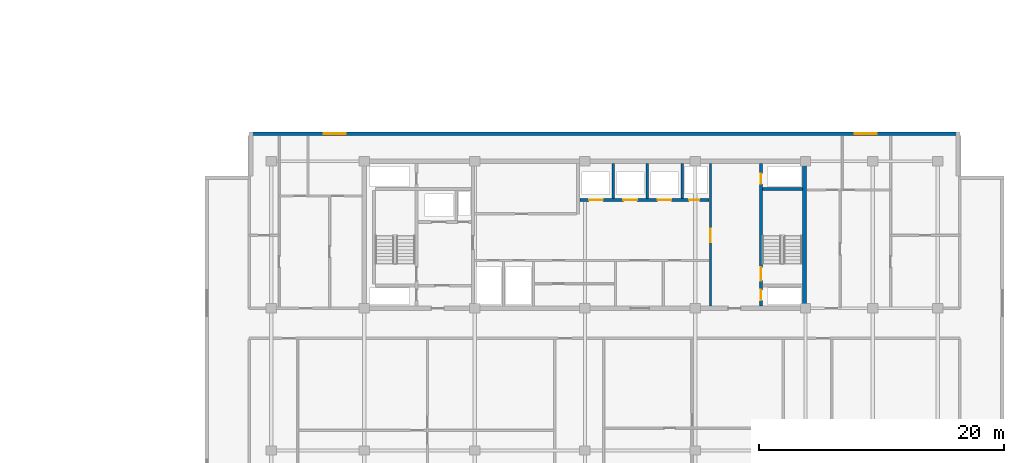
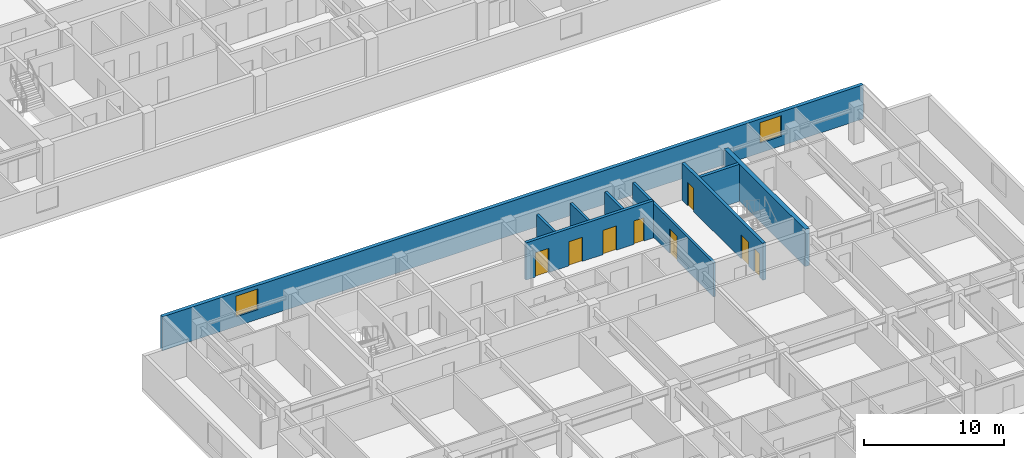
# One storey, part 8 of 22: 9 walls, 8 doors, 2 windows, 10 openings.
"""IFC4 building model written with IfcOpenShell, lengths in metres."""

from ifc_helpers import new_model, si_unit, direction, frame, frame_2d, origin, place, context, subcontext, project, spatial, rectangle, extrude, material, layer, layer_set, type_object, element, fill, save


model = new_model("IFC4")

# Units and contexts
model_context = context("Model", 3, precision=1e-05, world=origin(), true_north=direction((0.0, 1.0)))
body_context = subcontext(model_context, "Body", "Model", "MODEL_VIEW")
ifc_project = project(units=[si_unit("LENGTHUNIT", "METRE"), si_unit("AREAUNIT", "SQUARE_METRE"), si_unit("VOLUMEUNIT", "CUBIC_METRE"), si_unit("PLANEANGLEUNIT", "RADIAN"), si_unit("MASSUNIT", "GRAM", prefix="KILO")], contexts=[model_context])

# Site, building, storey
site_placement = place(None, origin())
site = spatial("IfcSite", under=ifc_project, at=site_placement, CompositionType="ELEMENT")
building_placement = place(site_placement, origin())
building = spatial("IfcBuilding", under=site, at=building_placement, Name="Korimba Cascade Residences", CompositionType="ELEMENT")
storey_placement = place(building_placement, frame((0.0, 0.0, 129.550048828125)))
storey = spatial("IfcBuildingStorey", under=building, at=storey_placement, Name="L37", CompositionType="ELEMENT", Elevation=129.550048828125)

# Wall, openings, windows
ifc_material_1 = material(Name="Precast concrete C40/50", Category="concrete")
ifc_layer_1 = layer(ifc_material_1, 0.300048828125)
ifc_layer_set_1 = layer_set([ifc_layer_1], Name="Precast concrete C40/50")
wall_type_1 = type_object("IfcWallType", Name="EW-STONE-300", PredefinedType="STANDARD", material=ifc_layer_set_1)
wall_1_placement = place(storey_placement, frame((130.699951171875, 32.64990234375, 0.0), z_axis=(0.0, 0.0, 1.0), x_axis=(-1.0, 0.0, 0.0)))
wall_1 = element("IfcWall", 1, at=wall_1_placement, inside=storey, type_object=wall_type_1, Name="L37 T2 Perimeter Stone Wall E06", PredefinedType="STANDARD", context=body_context, shape_type="SweptSolid", body=[
    extrude(rectangle(XDim=58.0, YDim=0.300048828125, at=frame_2d((29.0, 0.0))), origin(), (0.0, 0.0, 1.0), 2.969970703125),
])
opening_1_placement = place(wall_1_placement, frame((50.125, 0.0, 0.85009765625)))
opening_1 = element("IfcOpeningElement", 2, at=opening_1_placement, cuts=wall_1, Name="Opening W-02", PredefinedType="OPENING", context=body_context, shape_type="SweptSolid", body=[
    extrude(rectangle(XDim=1.800048828125, YDim=1.800048828125, at=frame_2d((0.89990234375, 0.89990234375))), frame((0.0, 0.16015625, 0.0), z_axis=(0.0, -1.0, 0.0), x_axis=(1.0, 0.0, 0.0)), (0.0, 0.0, 1.0), 0.320068359375),
])
opening_2_placement = place(wall_1_placement, frame((6.77490234375, 0.0, 0.85009765625)))
opening_2 = element("IfcOpeningElement", 3, at=opening_2_placement, cuts=wall_1, Name="Opening W-02", PredefinedType="OPENING", context=body_context, shape_type="SweptSolid", body=[
    extrude(rectangle(XDim=1.800048828125, YDim=1.800048828125, at=frame_2d((0.89990234375, 0.89990234375))), frame((0.0, 0.16015625, 0.0), z_axis=(0.0, -1.0, 0.0), x_axis=(1.0, 0.0, 0.0)), (0.0, 0.0, 1.0), 0.320068359375),
])
ifc_material_2 = material(Name="Double-Glazed Aluminium Window", Category="aluminium")
window_type = type_object("IfcWindowType", Name="WIN-BED-1800", PartitioningType="SINGLE_PANEL", PredefinedType="WINDOW", material=ifc_material_2)
window_1_placement = place(opening_1_placement, origin())
window_1 = element("IfcWindow", 4, at=window_1_placement, inside=storey, type_object=window_type, Name="L37 T2 North Corner Bedroom Window 1", OverallHeight=1.800048828125, OverallWidth=1.800048828125, PartitioningType="SINGLE_PANEL", PredefinedType="WINDOW", context=body_context, shape_type="SweptSolid", body=[
    extrude(rectangle(XDim=1.800048828125, YDim=1.800048828125, at=frame_2d((0.89990234375, 0.89990234375))), frame((0.0, 0.030029296875, 0.0), z_axis=(0.0, -1.0, 0.0), x_axis=(1.0, 0.0, 0.0)), (0.0, 0.0, 1.0), 0.06005859375),
])
fill(opening_1, window_1)
window_2_placement = place(opening_2_placement, origin())
window_2 = element("IfcWindow", 5, at=window_2_placement, inside=storey, type_object=window_type, Name="L37 T2 North Corner Bedroom Window 2", OverallHeight=1.800048828125, OverallWidth=1.800048828125, PartitioningType="SINGLE_PANEL", PredefinedType="WINDOW", context=body_context, shape_type="SweptSolid", body=[
    extrude(rectangle(XDim=1.800048828125, YDim=1.800048828125, at=frame_2d((0.89990234375, 0.89990234375))), frame((0.0, 0.030029296875, 0.0), z_axis=(0.0, -1.0, 0.0), x_axis=(1.0, 0.0, 0.0)), (0.0, 0.0, 1.0), 0.06005859375),
])
fill(opening_2, window_2)

# Walls
ifc_material_3 = material(Name="Concrete C65/80", Category="concrete")
ifc_layer_2 = layer(ifc_material_3, 0.35009765625)
ifc_layer_set_2 = layer_set([ifc_layer_2], Name="Concrete C65/80")
wall_type_2 = type_object("IfcWallType", Name="WAL-CORE-350", PredefinedType="SHEAR", material=ifc_layer_set_2)
wall_2_placement = place(storey_placement, frame((118.014892578125, 18.574951171875, 0.0), z_axis=(0.0, 0.0, 1.0), x_axis=(0.0, 1.0, 0.0)))
element("IfcWall", 6, at=wall_2_placement, inside=storey, type_object=wall_type_2, Name="L37 Core Shear Wall CW-L37-T2-E", PredefinedType="SHEAR", context=body_context, shape_type="SweptSolid", body=[
    extrude(rectangle(XDim=11.650146484375, YDim=0.35009765625, at=frame_2d((5.8251953125, 0.0))), origin(), (0.0, 0.0, 1.0), 3.25),
])
ifc_material_4 = material(Name="Concrete C40/50", Category="concrete")
ifc_layer_3 = layer(ifc_material_4, 0.199951171875)
ifc_layer_set_3 = layer_set([ifc_layer_3], Name="Concrete C40/50")
wall_type_3 = type_object("IfcWallType", Name="WAL-PART-200", PredefinedType="PARTITIONING", material=ifc_layer_set_3)
for number, where, z_axis, x_axis, name in (
    (7, (102.39990234375, 27.3798828125, 0.0), (0.0, 0.0, 1.0), (0.0, 1.0, 0.0), "L37 Partition Wall CW-L37-T2-B2D1"),
    (8, (105.199951171875, 27.3798828125, 0.0), (0.0, 0.0, 1.0), (0.0, 1.0, 0.0), "L37 Partition Wall CW-L37-T2-B2D2"),
    (9, (108.050048828125, 27.3798828125, 0.0), (0.0, 0.0, 1.0), (0.0, 1.0, 0.0), "L37 Partition Wall CW-L37-T2-B2D3"),
):
    element("IfcWall", number, at=place(storey_placement, frame(where, z_axis=z_axis, x_axis=x_axis)), inside=storey, type_object=wall_type_3, Name=name, PredefinedType="PARTITIONING", context=body_context, shape_type="SweptSolid", body=[
        extrude(rectangle(XDim=2.820068359375, YDim=0.199951171875, at=frame_2d((1.41015625, 0.0))), origin(), (0.0, 0.0, 1.0), 2.969970703125),
    ])

# Wall, opening, door
wall_3_placement = place(storey_placement, frame((110.35009765625, 18.60009765625, 0.0), z_axis=(0.0, 0.0, 1.0), x_axis=(0.0, 1.0, 0.0)))
wall_3 = element("IfcWall", 10, at=wall_3_placement, inside=storey, type_object=wall_type_3, Name="L37 Partition Wall CW-L37-T2-LLEV", PredefinedType="PARTITIONING", context=body_context, shape_type="SweptSolid", body=[
    extrude(rectangle(XDim=11.599853515625, YDim=0.199951171875, at=frame_2d((5.7998046875, 0.0))), origin(), (0.0, 0.0, 1.0), 2.969970703125),
])
opening_3_placement = place(wall_3_placement, frame((5.199951171875, 0.0, 0.0)))
opening_3 = element("IfcOpeningElement", 11, at=opening_3_placement, cuts=wall_3, Name="Opening D-FD6", PredefinedType="OPENING", context=body_context, shape_type="SweptSolid", body=[
    extrude(rectangle(XDim=1.10009765625, YDim=2.14990234375, at=frame_2d((0.550048828125, 1.074951171875))), frame((0.0, 0.10986328125, 0.0), z_axis=(0.0, -1.0, 0.0), x_axis=(1.0, 0.0, 0.0)), (0.0, 0.0, 1.0), 0.219970703125),
])
ifc_material_5 = material(Name="Fire-Rated Timber Stair Lobby Door", Category="wood")
door_type_1 = type_object("IfcDoorType", Name="DR-FD90-1100", OperationType="NOTDEFINED", PredefinedType="DOOR", material=ifc_material_5)
door_1_placement = place(opening_3_placement, origin())
door_1 = element("IfcDoor", 12, at=door_1_placement, inside=storey, type_object=door_type_1, Name="L37 T2 Lift Lobby to East Stair Lobby Door", OperationType="SINGLE_SWING_LEFT", OverallHeight=2.14990234375, OverallWidth=1.10009765625, PredefinedType="DOOR", context=body_context, shape_type="SweptSolid", body=[
    extrude(rectangle(XDim=1.10009765625, YDim=2.14990234375, at=frame_2d((0.550048828125, 1.074951171875))), frame((0.0, 0.02490234375, 0.0), z_axis=(0.0, -1.0, 0.0), x_axis=(1.0, 0.0, 0.0)), (0.0, 0.0, 1.0), 0.050048828125),
])
fill(opening_3, door_1)

# Wall, openings, doors
ifc_material_6 = material(Name="Concrete C50/60", Category="concrete")
ifc_layer_4 = layer(ifc_material_6, 0.25)
ifc_layer_set_4 = layer_set([ifc_layer_4], Name="Concrete C50/60")
wall_type_4 = type_object("IfcWallType", Name="WAL-SHAFT-250", PredefinedType="SHEAR", material=ifc_layer_set_4)
wall_4_placement = place(storey_placement, frame((99.679931640625, 27.25, 0.0), z_axis=(0.0, 0.0, 1.0), x_axis=(1.0, 0.0, 0.0)))
wall_4 = element("IfcWall", 13, at=wall_4_placement, inside=storey, type_object=wall_type_4, Name="L37 Core Shear Wall CW-L37-T2-B2S", PredefinedType="SHEAR", context=body_context, shape_type="SweptSolid", body=[
    extrude(rectangle(XDim=10.5400390625, YDim=0.25, at=frame_2d((5.27001953125, 0.0))), origin(), (0.0, 0.0, 1.0), 3.25),
])
opening_4_placement = place(wall_4_placement, frame((0.760009765625, 0.0, 0.0)))
opening_4 = element("IfcOpeningElement", 14, at=opening_4_placement, cuts=wall_4, Name="Opening LD-01", PredefinedType="OPENING", context=body_context, shape_type="SweptSolid", body=[
    extrude(rectangle(XDim=1.1201171875, YDim=2.1201171875, at=frame_2d((0.56005859375, 1.06005859375))), frame((0.0, 0.135009765625, 0.0), z_axis=(0.0, -1.0, 0.0), x_axis=(1.0, 0.0, 0.0)), (0.0, 0.0, 1.0), 0.27001953125),
])
opening_5_placement = place(wall_4_placement, frame((3.56005859375, 0.0, 0.0)))
opening_5 = element("IfcOpeningElement", 15, at=opening_5_placement, cuts=wall_4, Name="Opening LD-01", PredefinedType="OPENING", context=body_context, shape_type="SweptSolid", body=[
    extrude(rectangle(XDim=1.1201171875, YDim=2.1201171875, at=frame_2d((0.56005859375, 1.06005859375))), frame((0.0, 0.135009765625, 0.0), z_axis=(0.0, -1.0, 0.0), x_axis=(1.0, 0.0, 0.0)), (0.0, 0.0, 1.0), 0.27001953125),
])
opening_6_placement = place(wall_4_placement, frame((6.360107421875, 0.0, 0.0)))
opening_6 = element("IfcOpeningElement", 16, at=opening_6_placement, cuts=wall_4, Name="Opening LD-01", PredefinedType="OPENING", context=body_context, shape_type="SweptSolid", body=[
    extrude(rectangle(XDim=1.1201171875, YDim=2.1201171875, at=frame_2d((0.56005859375, 1.06005859375))), frame((0.0, 0.135009765625, 0.0), z_axis=(0.0, -1.0, 0.0), x_axis=(1.0, 0.0, 0.0)), (0.0, 0.0, 1.0), 0.27001953125),
])
opening_7_placement = place(wall_4_placement, frame((8.919921875, 0.0, 0.0)))
opening_7 = element("IfcOpeningElement", 17, at=opening_7_placement, cuts=wall_4, Name="Opening D-RS1", PredefinedType="OPENING", context=body_context, shape_type="SweptSolid", body=[
    extrude(rectangle(XDim=0.85009765625, YDim=2.050048828125, at=frame_2d((0.425048828125, 1.02490234375))), frame((0.0, 0.135009765625, 0.0), z_axis=(0.0, -1.0, 0.0), x_axis=(1.0, 0.0, 0.0)), (0.0, 0.0, 1.0), 0.27001953125),
])
ifc_material_7 = material(Name="Fire-Rated Steel Riser Access Door", Category="steel")
door_type_2 = type_object("IfcDoorType", Name="DR-FD60-850", OperationType="NOTDEFINED", PredefinedType="DOOR", material=ifc_material_7)
door_2_placement = place(opening_7_placement, origin())
door_2 = element("IfcDoor", 18, at=door_2_placement, inside=storey, type_object=door_type_2, Name="L37 T2 Duct Door", OperationType="SINGLE_SWING_LEFT", OverallHeight=2.050048828125, OverallWidth=0.85009765625, PredefinedType="DOOR", context=body_context, shape_type="SweptSolid", body=[
    extrude(rectangle(XDim=0.85009765625, YDim=2.050048828125, at=frame_2d((0.425048828125, 1.02490234375))), frame((0.0, 0.02490234375, 0.0), z_axis=(0.0, -1.0, 0.0), x_axis=(1.0, 0.0, 0.0)), (0.0, 0.0, 1.0), 0.050048828125),
])
fill(opening_7, door_2)
ifc_material_8 = material(Name="Stainless Steel Lift Landing Sliding Door", Category="steel")
door_type_3 = type_object("IfcDoorType", Name="DR-LIFT-1100", OperationType="NOTDEFINED", PredefinedType="DOOR", material=ifc_material_8)
door_3_placement = place(opening_4_placement, origin())
door_3 = element("IfcDoor", 19, at=door_3_placement, inside=storey, type_object=door_type_3, Name="L37 Lift Landing Door PL-E4", OperationType="SLIDING_TO_RIGHT", OverallHeight=2.1201171875, OverallWidth=1.1201171875, PredefinedType="DOOR", context=body_context, shape_type="SweptSolid", body=[
    extrude(rectangle(XDim=1.1201171875, YDim=2.1201171875, at=frame_2d((0.56005859375, 1.06005859375))), frame((0.0, 0.02490234375, 0.0), z_axis=(0.0, -1.0, 0.0), x_axis=(1.0, 0.0, 0.0)), (0.0, 0.0, 1.0), 0.050048828125),
])
fill(opening_4, door_3)
door_4_placement = place(opening_5_placement, origin())
door_4 = element("IfcDoor", 20, at=door_4_placement, inside=storey, type_object=door_type_3, Name="L37 Lift Landing Door PL-E5", OperationType="SLIDING_TO_RIGHT", OverallHeight=2.1201171875, OverallWidth=1.1201171875, PredefinedType="DOOR", context=body_context, shape_type="SweptSolid", body=[
    extrude(rectangle(XDim=1.1201171875, YDim=2.1201171875, at=frame_2d((0.56005859375, 1.06005859375))), frame((0.0, 0.02490234375, 0.0), z_axis=(0.0, -1.0, 0.0), x_axis=(1.0, 0.0, 0.0)), (0.0, 0.0, 1.0), 0.050048828125),
])
fill(opening_5, door_4)
door_5_placement = place(opening_6_placement, origin())
door_5 = element("IfcDoor", 21, at=door_5_placement, inside=storey, type_object=door_type_3, Name="L37 Lift Landing Door PL-E6", OperationType="SLIDING_TO_RIGHT", OverallHeight=2.1201171875, OverallWidth=1.1201171875, PredefinedType="DOOR", context=body_context, shape_type="SweptSolid", body=[
    extrude(rectangle(XDim=1.1201171875, YDim=2.1201171875, at=frame_2d((0.56005859375, 1.06005859375))), frame((0.0, 0.02490234375, 0.0), z_axis=(0.0, -1.0, 0.0), x_axis=(1.0, 0.0, 0.0)), (0.0, 0.0, 1.0), 0.050048828125),
])
fill(opening_6, door_5)

wall_5_placement = place(storey_placement, frame((114.47509765625, 18.60009765625, 0.0), z_axis=(0.0, 0.0, 1.0), x_axis=(0.0, 1.0, 0.0)))
wall_5 = element("IfcWall", 22, at=wall_5_placement, inside=storey, type_object=wall_type_4, Name="L37 Core Shear Wall CW-L37-T2-STE2W", PredefinedType="SHEAR", context=body_context, shape_type="SweptSolid", body=[
    extrude(rectangle(XDim=11.599853515625, YDim=0.25, at=frame_2d((5.7998046875, 0.0))), origin(), (0.0, 0.0, 1.0), 3.25),
])
opening_8_placement = place(wall_5_placement, frame((0.449951171875, 0.0, 0.0)))
opening_8 = element("IfcOpeningElement", 23, at=opening_8_placement, cuts=wall_5, Name="Opening D-RS1", PredefinedType="OPENING", context=body_context, shape_type="SweptSolid", body=[
    extrude(rectangle(XDim=0.85009765625, YDim=2.050048828125, at=frame_2d((0.425048828125, 1.02490234375))), frame((0.0, 0.135009765625, 0.0), z_axis=(0.0, -1.0, 0.0), x_axis=(1.0, 0.0, 0.0)), (0.0, 0.0, 1.0), 0.27001953125),
])
opening_9_placement = place(wall_5_placement, frame((2.050048828125, 0.0, 0.0)))
opening_9 = element("IfcOpeningElement", 24, at=opening_9_placement, cuts=wall_5, Name="Opening D-FD1", PredefinedType="OPENING", context=body_context, shape_type="SweptSolid", body=[
    extrude(rectangle(XDim=1.10009765625, YDim=2.10009765625, at=frame_2d((0.550048828125, 1.050048828125))), frame((0.0, 0.135009765625, 0.0), z_axis=(0.0, -1.0, 0.0), x_axis=(1.0, 0.0, 0.0)), (0.0, 0.0, 1.0), 0.27001953125),
])
opening_10_placement = place(wall_5_placement, frame((9.949951171875, 0.0, 0.0)))
opening_10 = element("IfcOpeningElement", 25, at=opening_10_placement, cuts=wall_5, Name="Opening D-RS1", PredefinedType="OPENING", context=body_context, shape_type="SweptSolid", body=[
    extrude(rectangle(XDim=0.85009765625, YDim=2.050048828125, at=frame_2d((0.425048828125, 1.02490234375))), frame((0.0, 0.135009765625, 0.0), z_axis=(0.0, -1.0, 0.0), x_axis=(1.0, 0.0, 0.0)), (0.0, 0.0, 1.0), 0.27001953125),
])
ifc_material_9 = material(Name="Fire-Rated Steel Core Door", Category="steel")
door_type_4 = type_object("IfcDoorType", Name="DR-FD120-1100", OperationType="NOTDEFINED", PredefinedType="DOOR", material=ifc_material_9)
door_6_placement = place(opening_9_placement, origin())
door_6 = element("IfcDoor", 26, at=door_6_placement, inside=storey, type_object=door_type_4, Name="L37 Fire Stair ST-E2 Door", OperationType="SINGLE_SWING_LEFT", OverallHeight=2.10009765625, OverallWidth=1.10009765625, PredefinedType="DOOR", context=body_context, shape_type="SweptSolid", body=[
    extrude(rectangle(XDim=1.10009765625, YDim=2.10009765625, at=frame_2d((0.550048828125, 1.050048828125))), frame((0.0, 0.02490234375, 0.0), z_axis=(0.0, -1.0, 0.0), x_axis=(1.0, 0.0, 0.0)), (0.0, 0.0, 1.0), 0.050048828125),
])
fill(opening_9, door_6)
door_7_placement = place(opening_8_placement, origin())
door_7 = element("IfcDoor", 27, at=door_7_placement, inside=storey, type_object=door_type_2, Name="L37 T2 East Hydrant Door", OperationType="SINGLE_SWING_RIGHT", OverallHeight=2.050048828125, OverallWidth=0.85009765625, PredefinedType="DOOR", context=body_context, shape_type="SweptSolid", body=[
    extrude(rectangle(XDim=0.85009765625, YDim=2.050048828125, at=frame_2d((0.425048828125, 1.02490234375))), frame((0.0, 0.02490234375, 0.0), z_axis=(0.0, -1.0, 0.0), x_axis=(1.0, 0.0, 0.0)), (0.0, 0.0, 1.0), 0.050048828125),
])
fill(opening_8, door_7)
door_8_placement = place(opening_10_placement, origin())
door_8 = element("IfcDoor", 28, at=door_8_placement, inside=storey, type_object=door_type_2, Name="L37 T2 East Riser Door", OperationType="SINGLE_SWING_RIGHT", OverallHeight=2.050048828125, OverallWidth=0.85009765625, PredefinedType="DOOR", context=body_context, shape_type="SweptSolid", body=[
    extrude(rectangle(XDim=0.85009765625, YDim=2.050048828125, at=frame_2d((0.425048828125, 1.02490234375))), frame((0.0, 0.02490234375, 0.0), z_axis=(0.0, -1.0, 0.0), x_axis=(1.0, 0.0, 0.0)), (0.0, 0.0, 1.0), 0.050048828125),
])
fill(opening_10, door_8)

# Wall
wall_6_placement = place(storey_placement, frame((114.60009765625, 28.125, 0.0), z_axis=(0.0, 0.0, 1.0), x_axis=(1.0, 0.0, 0.0)))
element("IfcWall", 29, at=wall_6_placement, inside=storey, type_object=wall_type_4, Name="L37 Core Shear Wall CW-L37-T2-STE2N", PredefinedType="SHEAR", context=body_context, shape_type="SweptSolid", body=[
    extrude(rectangle(XDim=3.239990234375, YDim=0.25, at=frame_2d((1.6201171875, 0.0))), origin(), (0.0, 0.0, 1.0), 3.25),
])

save(model, "model.ifc")
